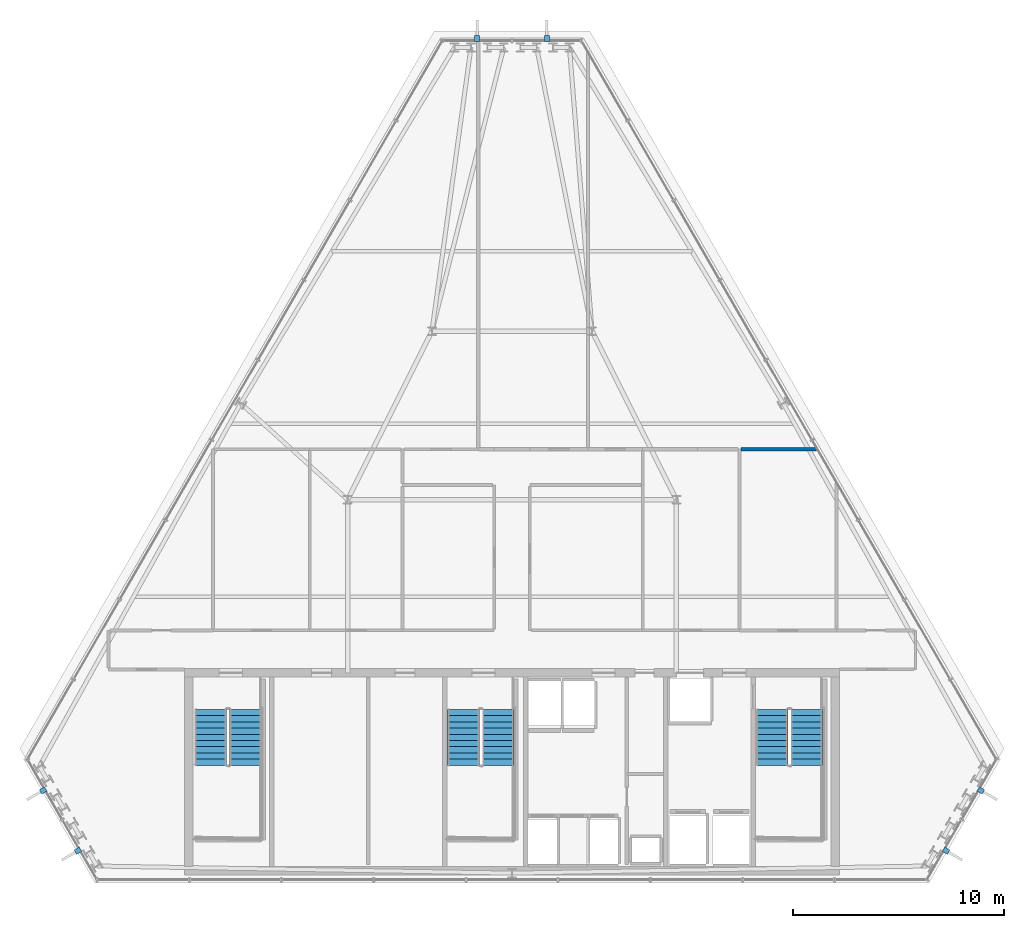
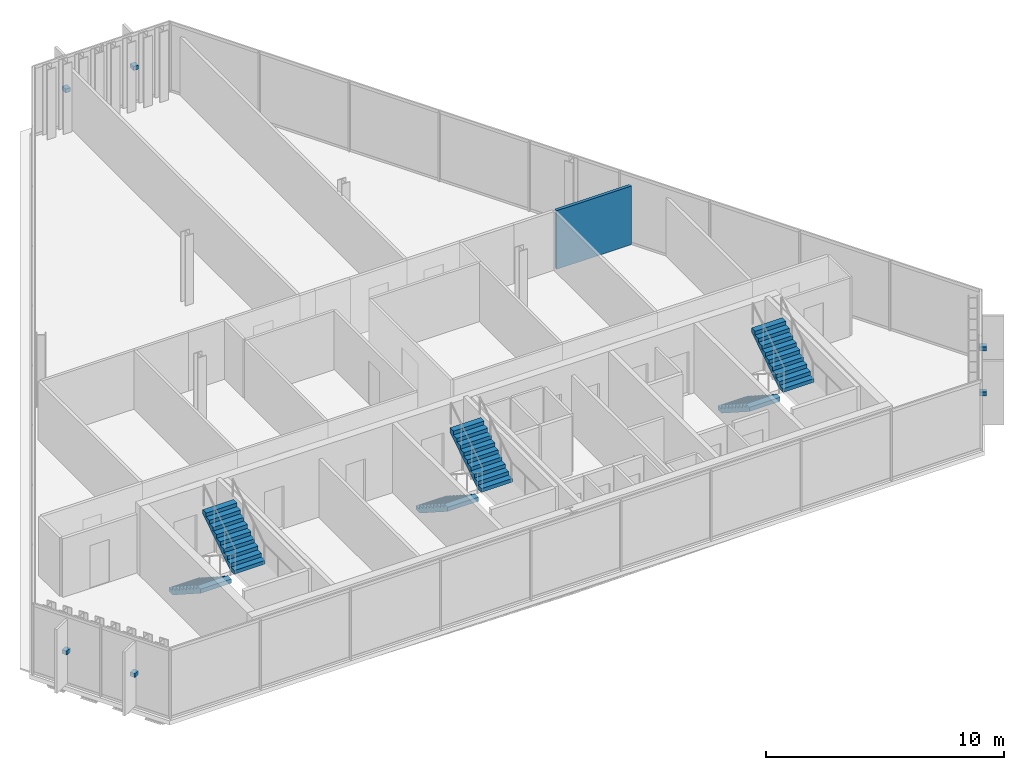
# One storey, part 26 of 29: 6 discrete accessories, 6 stair flights, 1 wall, 3 elements without a shape of their own.
"""IFC4 building model written with IfcOpenShell, lengths in metres."""

from ifc_helpers import new_model, si_unit, direction, frame, frame_2d, origin, origin_2d, place, context, subcontext, project, spatial, polyline, rectangle, outline, extrude, material, layer, layer_set, type_object, element, aggregate, save


model = new_model("IFC4")

# Units and contexts
model_context = context("Model", 3, precision=1e-05, world=origin(), true_north=direction((0.0, 1.0)))
body_context = subcontext(model_context, "Body", "Model", "MODEL_VIEW")
ifc_project = project(units=[si_unit("LENGTHUNIT", "METRE"), si_unit("AREAUNIT", "SQUARE_METRE"), si_unit("VOLUMEUNIT", "CUBIC_METRE"), si_unit("PLANEANGLEUNIT", "RADIAN"), si_unit("MASSUNIT", "GRAM", prefix="KILO")], contexts=[model_context])

# Site, building, storey
site_placement = place(None, origin())
site = spatial("IfcSite", under=ifc_project, at=site_placement, CompositionType="ELEMENT")
building_placement = place(site_placement, origin())
building = spatial("IfcBuilding", under=site, at=building_placement, Name="Ndaravel Arena Tower", CompositionType="ELEMENT")
storey_placement = place(building_placement, frame((0.0, 0.0, 240.800048828125)))
storey = spatial("IfcBuildingStorey", under=building, at=storey_placement, Name="L58", CompositionType="ELEMENT", Elevation=240.800048828125)

# Wall
ifc_material_1 = material(Name="Masonry", Category="masonry")
ifc_layer = layer(ifc_material_1, 0.14990234375)
ifc_layer_set = layer_set([ifc_layer], Name="Masonry")
wall_type = type_object("IfcWallType", Name="WALL-WET-150", PredefinedType="PARTITIONING", material=ifc_layer_set)
wall_placement = place(storey_placement, frame((52.864990234375, 25.60009765625, 0.0), z_axis=(0.0, 0.0, 1.0), x_axis=(1.0, 0.0, 0.0)))
element("IfcWall", 1, at=wall_placement, inside=storey, type_object=wall_type, Name="L58 Interior Partition 029", PredefinedType="PARTITIONING", context=body_context, shape_type="SweptSolid", body=[
    extrude(rectangle(XDim=3.63330078125, YDim=0.14990234375, at=frame_2d((1.816650390625, 0.0))), origin(), (0.0, 0.0, 1.0), 3.010498046875),
])

# Stair, stair flights
ifc_material_2 = material(Name="Concrete C40/50", Category="concrete")
stair_type = type_object("IfcStairType", Name="STAIR-CORE-HT", PredefinedType="HALF_TURN_STAIR", material=ifc_material_2)
stair_1_placement = place(storey_placement, origin())
stair_1 = element("IfcStair", 2, at=stair_1_placement, inside=storey, type_object=stair_type, Name="L58 ST-1", PredefinedType="HALF_TURN_STAIR")
ifc_material_3 = material(Name="Concrete C40/50", Category="concrete")
stair_flight_type = type_object("IfcStairFlightType", Name="SFLIGHT-CORE-1680", PredefinedType="STRAIGHT", material=ifc_material_3)
stair_flight_1_placement = place(storey_placement, frame((27.699951171875, 13.25, 0.0), z_axis=(0.0, 0.0, 1.0), x_axis=(0.0, -1.0, 0.0)))
stair_flight_1 = element("IfcStairFlight", 3, at=stair_flight_1_placement, type_object=stair_flight_type, Name="ST-1 flight 1", NumberOfRisers=10, NumberOfTreads=9, PredefinedType="STRAIGHT", RiserHeight=0.19, TreadLength=0.295, context=body_context, shape_type="SweptSolid", body=[
    extrude(outline(polyline([(0.0, 0.0), (0.0, 0.18994140625), (0.294921875, 0.18994140625), (0.294921875, 0.3798828125), (0.590087890625, 0.3798828125), (0.590087890625, 0.570068359375), (0.885009765625, 0.570068359375), (0.885009765625, 0.760009765625), (1.179931640625, 0.760009765625), (1.179931640625, 0.949951171875), (1.47509765625, 0.949951171875), (1.47509765625, 1.139892578125), (1.77001953125, 1.139892578125), (1.77001953125, 1.330078125), (2.06494140625, 1.330078125), (2.06494140625, 1.52001953125), (2.360107421875, 1.52001953125), (2.360107421875, 1.7099609375), (2.655029296875, 1.7099609375), (2.655029296875, 1.89990234375), (2.655029296875, 1.49609375), (0.332275390625, 0.0), (0.0, 0.0)])), frame((0.0, 0.75, 0.0), z_axis=(0.0, -1.0, 0.0), x_axis=(1.0, 0.0, 0.0)), (0.0, 0.0, 1.0), 1.5),
])
stair_flight_2_placement = place(storey_placement, frame((29.340087890625, 10.594970703125, 1.89990234375), z_axis=(0.0, 0.0, 1.0), x_axis=(0.0, 1.0, 0.0)))
stair_flight_2 = element("IfcStairFlight", 4, at=stair_flight_2_placement, type_object=stair_flight_type, Name="ST-1 flight 2", NumberOfRisers=10, NumberOfTreads=9, PredefinedType="STRAIGHT", RiserHeight=0.19, TreadLength=0.295, context=body_context, shape_type="SweptSolid", body=[
    extrude(outline(polyline([(0.0, 0.0), (0.0, 0.18994140625), (0.294921875, 0.18994140625), (0.294921875, 0.3798828125), (0.590087890625, 0.3798828125), (0.590087890625, 0.570068359375), (0.885009765625, 0.570068359375), (0.885009765625, 0.760009765625), (1.179931640625, 0.760009765625), (1.179931640625, 0.949951171875), (1.47509765625, 0.949951171875), (1.47509765625, 1.139892578125), (1.77001953125, 1.139892578125), (1.77001953125, 1.330078125), (2.06494140625, 1.330078125), (2.06494140625, 1.52001953125), (2.360107421875, 1.52001953125), (2.360107421875, 1.7099609375), (2.655029296875, 1.7099609375), (2.655029296875, 1.89990234375), (2.655029296875, 1.49609375), (0.332275390625, 0.0), (0.0, 0.0)])), frame((0.0, 0.75, 0.0), z_axis=(0.0, -1.0, 0.0), x_axis=(1.0, 0.0, 0.0)), (0.0, 0.0, 1.0), 1.5),
])
aggregate(stair_1, [stair_flight_1, stair_flight_2])

stair_2_placement = place(storey_placement, origin())
stair_2 = element("IfcStair", 5, at=stair_2_placement, inside=storey, type_object=stair_type, Name="L58 ST-2", PredefinedType="HALF_TURN_STAIR")
stair_flight_3_placement = place(storey_placement, frame((39.699951171875, 13.25, 0.0), z_axis=(0.0, 0.0, 1.0), x_axis=(0.0, -1.0, 0.0)))
stair_flight_3 = element("IfcStairFlight", 6, at=stair_flight_3_placement, type_object=stair_flight_type, Name="ST-2 flight 1", NumberOfRisers=10, NumberOfTreads=9, PredefinedType="STRAIGHT", RiserHeight=0.19, TreadLength=0.295, context=body_context, shape_type="SweptSolid", body=[
    extrude(outline(polyline([(0.0, 0.0), (0.0, 0.18994140625), (0.294921875, 0.18994140625), (0.294921875, 0.3798828125), (0.590087890625, 0.3798828125), (0.590087890625, 0.570068359375), (0.885009765625, 0.570068359375), (0.885009765625, 0.760009765625), (1.179931640625, 0.760009765625), (1.179931640625, 0.949951171875), (1.47509765625, 0.949951171875), (1.47509765625, 1.139892578125), (1.77001953125, 1.139892578125), (1.77001953125, 1.330078125), (2.06494140625, 1.330078125), (2.06494140625, 1.52001953125), (2.360107421875, 1.52001953125), (2.360107421875, 1.7099609375), (2.655029296875, 1.7099609375), (2.655029296875, 1.89990234375), (2.655029296875, 1.49609375), (0.332275390625, 0.0), (0.0, 0.0)])), frame((0.0, 0.75, 0.0), z_axis=(0.0, -1.0, 0.0), x_axis=(1.0, 0.0, 0.0)), (0.0, 0.0, 1.0), 1.5),
])
stair_flight_4_placement = place(storey_placement, frame((41.340087890625, 10.594970703125, 1.89990234375), z_axis=(0.0, 0.0, 1.0), x_axis=(0.0, 1.0, 0.0)))
stair_flight_4 = element("IfcStairFlight", 7, at=stair_flight_4_placement, type_object=stair_flight_type, Name="ST-2 flight 2", NumberOfRisers=10, NumberOfTreads=9, PredefinedType="STRAIGHT", RiserHeight=0.19, TreadLength=0.295, context=body_context, shape_type="SweptSolid", body=[
    extrude(outline(polyline([(0.0, 0.0), (0.0, 0.18994140625), (0.294921875, 0.18994140625), (0.294921875, 0.3798828125), (0.590087890625, 0.3798828125), (0.590087890625, 0.570068359375), (0.885009765625, 0.570068359375), (0.885009765625, 0.760009765625), (1.179931640625, 0.760009765625), (1.179931640625, 0.949951171875), (1.47509765625, 0.949951171875), (1.47509765625, 1.139892578125), (1.77001953125, 1.139892578125), (1.77001953125, 1.330078125), (2.06494140625, 1.330078125), (2.06494140625, 1.52001953125), (2.360107421875, 1.52001953125), (2.360107421875, 1.7099609375), (2.655029296875, 1.7099609375), (2.655029296875, 1.89990234375), (2.655029296875, 1.49609375), (0.332275390625, 0.0), (0.0, 0.0)])), frame((0.0, 0.75, 0.0), z_axis=(0.0, -1.0, 0.0), x_axis=(1.0, 0.0, 0.0)), (0.0, 0.0, 1.0), 1.5),
])
aggregate(stair_2, [stair_flight_3, stair_flight_4])

stair_3_placement = place(storey_placement, origin())
stair_3 = element("IfcStair", 8, at=stair_3_placement, inside=storey, type_object=stair_type, Name="L58 ST-3", PredefinedType="HALF_TURN_STAIR")
stair_flight_5_placement = place(storey_placement, frame((54.35009765625, 13.25, 0.0), z_axis=(0.0, 0.0, 1.0), x_axis=(0.0, -1.0, 0.0)))
stair_flight_5 = element("IfcStairFlight", 9, at=stair_flight_5_placement, type_object=stair_flight_type, Name="ST-3 flight 1", NumberOfRisers=10, NumberOfTreads=9, PredefinedType="STRAIGHT", RiserHeight=0.19, TreadLength=0.295, context=body_context, shape_type="SweptSolid", body=[
    extrude(outline(polyline([(0.0, 0.0), (0.0, 0.18994140625), (0.294921875, 0.18994140625), (0.294921875, 0.3798828125), (0.590087890625, 0.3798828125), (0.590087890625, 0.570068359375), (0.885009765625, 0.570068359375), (0.885009765625, 0.760009765625), (1.179931640625, 0.760009765625), (1.179931640625, 0.949951171875), (1.47509765625, 0.949951171875), (1.47509765625, 1.139892578125), (1.77001953125, 1.139892578125), (1.77001953125, 1.330078125), (2.06494140625, 1.330078125), (2.06494140625, 1.52001953125), (2.360107421875, 1.52001953125), (2.360107421875, 1.7099609375), (2.655029296875, 1.7099609375), (2.655029296875, 1.89990234375), (2.655029296875, 1.49609375), (0.332275390625, 0.0), (0.0, 0.0)])), frame((0.0, 0.75, 0.0), z_axis=(0.0, -1.0, 0.0), x_axis=(1.0, 0.0, 0.0)), (0.0, 0.0, 1.0), 1.5),
])
stair_flight_6_placement = place(storey_placement, frame((55.989990234375, 10.594970703125, 1.89990234375), z_axis=(0.0, 0.0, 1.0), x_axis=(0.0, 1.0, 0.0)))
stair_flight_6 = element("IfcStairFlight", 10, at=stair_flight_6_placement, type_object=stair_flight_type, Name="ST-3 flight 2", NumberOfRisers=10, NumberOfTreads=9, PredefinedType="STRAIGHT", RiserHeight=0.19, TreadLength=0.295, context=body_context, shape_type="SweptSolid", body=[
    extrude(outline(polyline([(0.0, 0.0), (0.0, 0.18994140625), (0.294921875, 0.18994140625), (0.294921875, 0.3798828125), (0.590087890625, 0.3798828125), (0.590087890625, 0.570068359375), (0.885009765625, 0.570068359375), (0.885009765625, 0.760009765625), (1.179931640625, 0.760009765625), (1.179931640625, 0.949951171875), (1.47509765625, 0.949951171875), (1.47509765625, 1.139892578125), (1.77001953125, 1.139892578125), (1.77001953125, 1.330078125), (2.06494140625, 1.330078125), (2.06494140625, 1.52001953125), (2.360107421875, 1.52001953125), (2.360107421875, 1.7099609375), (2.655029296875, 1.7099609375), (2.655029296875, 1.89990234375), (2.655029296875, 1.49609375), (0.332275390625, 0.0), (0.0, 0.0)])), frame((0.0, 0.75, 0.0), z_axis=(0.0, -1.0, 0.0), x_axis=(1.0, 0.0, 0.0)), (0.0, 0.0, 1.0), 1.5),
])
aggregate(stair_3, [stair_flight_5, stair_flight_6])

# Discrete accessories
ifc_material_4 = material(Name="Steel S355", Category="steel")
discrete_accessory_type = type_object("IfcDiscreteAccessoryType", Name="ACC-BRACKET-FIN", PredefinedType="BRACKET", material=ifc_material_4)
for number, where, z_axis, x_axis, name in (
    (11, (62.6044921875, 6.54052734375, 1.68994140625), (0.0, 0.0, 1.0), (0.866025403784, -0.5, 0.0), "L58 Mazeras Stone Solar Fin E2.1 Bracket"),
    (12, (64.25634765625, 9.401611328125, 1.68994140625), (0.0, 0.0, 1.0), (0.866025403784, -0.5, 0.0), "L58 Mazeras Stone Solar Fin E2.2 Bracket"),
    (13, (43.65185546875, 45.089599609375, 1.68994140625), (0.0, 0.0, 1.0), (0.0, 1.0, 0.0), "L58 Mazeras Stone Solar Fin E4.1 Bracket"),
    (14, (40.34814453125, 45.089599609375, 1.68994140625), (0.0, 0.0, 1.0), (0.0, 1.0, 0.0), "L58 Mazeras Stone Solar Fin E4.2 Bracket"),
    (15, (19.74365234375, 9.401611328125, 1.68994140625), (0.0, 0.0, 1.0), (-0.866025403784, -0.5, 0.0), "L58 Mazeras Stone Solar Fin E6.1 Bracket"),
    (16, (21.3955078125, 6.54052734375, 1.68994140625), (0.0, 0.0, 1.0), (-0.866025403784, -0.5, 0.0), "L58 Mazeras Stone Solar Fin E6.2 Bracket"),
):
    element("IfcDiscreteAccessory", number, at=place(storey_placement, frame(where, z_axis=z_axis, x_axis=x_axis)), inside=storey, type_object=discrete_accessory_type, Name=name, PredefinedType="BRACKET", context=body_context, shape_type="SweptSolid", body=[
        extrude(rectangle(XDim=0.280029296875, YDim=0.239990234375, at=origin_2d()), origin(), (0.0, 0.0, 1.0), 0.199951171875),
    ])

save(model, "model.ifc")
